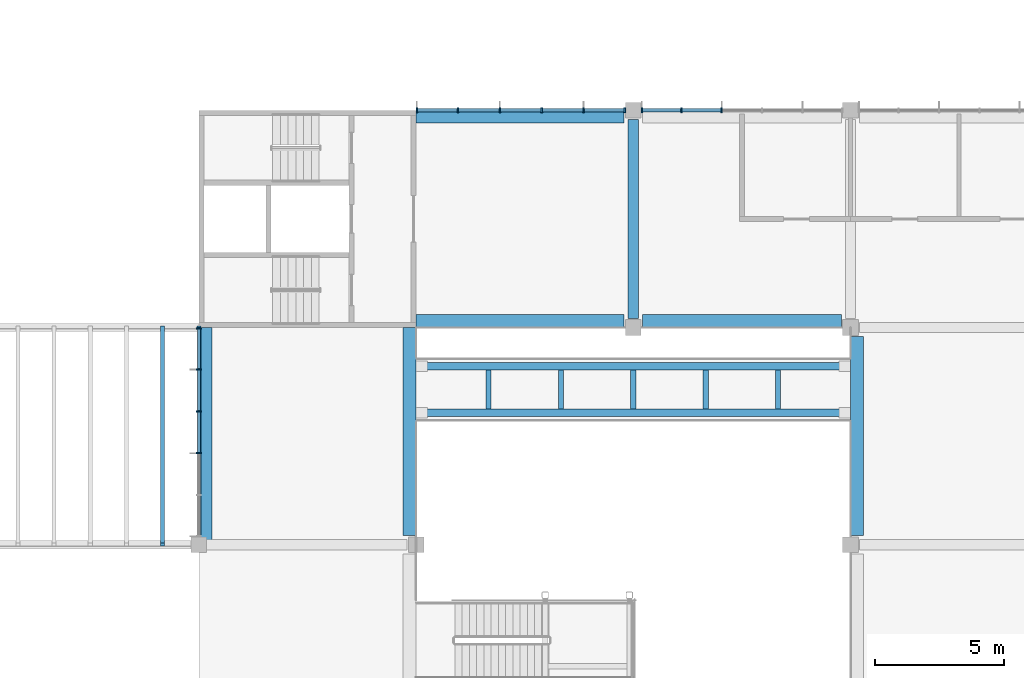
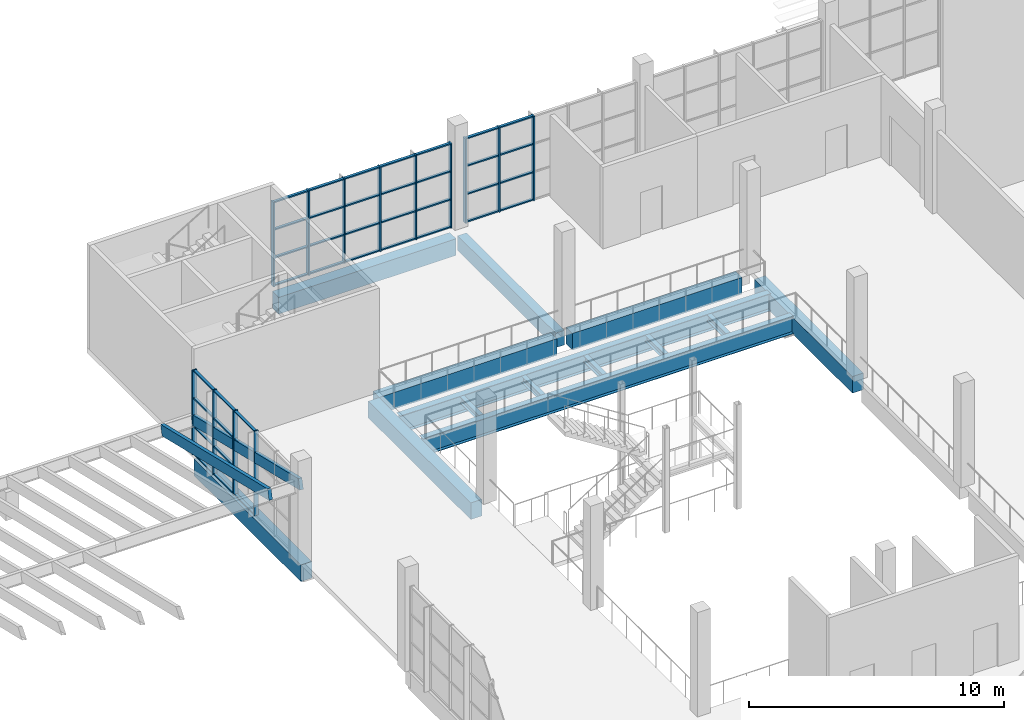
# One storey, part 10 of 59: 55 members, 14 beams, 3 elements without a shape of their own.
"""IFC4 building model written with IfcOpenShell, lengths in metres."""

from ifc_helpers import new_model, si_unit, direction, frame, origin, origin_2d, place, context, subcontext, project, spatial, rectangle, i_section, extrude, material, material_profile, profile_set, type_object, element, aggregate, save


model = new_model("IFC4")

# Units and contexts
model_context = context("Model", 3, precision=1e-05, world=origin(), true_north=direction((0.0, 1.0)))
body_context = subcontext(model_context, "Body", "Model", "MODEL_VIEW")
ifc_project = project(units=[si_unit("LENGTHUNIT", "METRE"), si_unit("AREAUNIT", "SQUARE_METRE"), si_unit("VOLUMEUNIT", "CUBIC_METRE"), si_unit("PLANEANGLEUNIT", "RADIAN"), si_unit("MASSUNIT", "GRAM", prefix="KILO")], contexts=[model_context])

# Site, building, storey
site_placement = place(None, origin())
site = spatial("IfcSite", under=ifc_project, at=site_placement, CompositionType="ELEMENT")
building_placement = place(site_placement, origin())
building = spatial("IfcBuilding", under=site, at=building_placement, Name="Almond Square Museum", CompositionType="ELEMENT")
storey_placement = place(building_placement, frame((0.0, 0.0, 25.0)))
storey = spatial("IfcBuildingStorey", under=building, at=storey_placement, Name="L04", CompositionType="ELEMENT", Elevation=25.0)

# Curtain wall, members
ifc_material_1 = material(Name="Aluminium and laminated glass", Category="aluminium")
curtain_wall_type = type_object("IfcCurtainWallType", Name="Unitised curtain wall 1500 module", PredefinedType="NOTDEFINED", material=ifc_material_1)
curtain_wall_1_placement = place(storey_placement, origin())
curtain_wall_1 = element("IfcCurtainWall", 1, at=curtain_wall_1_placement, inside=storey, type_object=curtain_wall_type, Name="Curtain wall CW-42", PredefinedType="NOTDEFINED")
ifc_material_2 = material(Name="Anodised aluminium", Category="aluminium")
ifc_material_profile_1 = material_profile(ifc_material_2, rectangle(XDim=0.199951171875, YDim=0.06005859375, at=origin_2d()))
ifc_profile_set_1 = profile_set([ifc_material_profile_1], Name="Anodised aluminium")
member_type_1 = type_object("IfcMemberType", Name="Aluminium mullion 60 x 200", PredefinedType="MULLION", material=ifc_profile_set_1)
member_1_placement = place(storey_placement, frame((90.330078125, 109.199951171875, 0.0), z_axis=(0.0, 0.0, 1.0), x_axis=(0.0, 1.0, 0.0)))
member_1 = element("IfcMember", 2, at=member_1_placement, type_object=member_type_1, Name="CW-42 mullion 1", PredefinedType="MULLION", context=body_context, shape_type="SweptSolid", body=[
    extrude(rectangle(XDim=0.199951171875, YDim=0.06005859375, at=origin_2d()), origin(), (0.0, 0.0, 1.0), 4.050048828125),
])
member_2_placement = place(storey_placement, frame((91.860107421875, 109.199951171875, 0.0), z_axis=(0.0, 0.0, 1.0), x_axis=(0.0, 1.0, 0.0)))
member_2 = element("IfcMember", 3, at=member_2_placement, type_object=member_type_1, Name="CW-42 mullion 2", PredefinedType="MULLION", context=body_context, shape_type="SweptSolid", body=[
    extrude(rectangle(XDim=0.199951171875, YDim=0.06005859375, at=origin_2d()), origin(), (0.0, 0.0, 1.0), 4.050048828125),
])
member_3_placement = place(storey_placement, frame((93.419921875, 109.199951171875, 0.0), z_axis=(0.0, 0.0, 1.0), x_axis=(0.0, 1.0, 0.0)))
member_3 = element("IfcMember", 4, at=member_3_placement, type_object=member_type_1, Name="CW-42 mullion 3", PredefinedType="MULLION", context=body_context, shape_type="SweptSolid", body=[
    extrude(rectangle(XDim=0.199951171875, YDim=0.06005859375, at=origin_2d()), origin(), (0.0, 0.0, 1.0), 4.050048828125),
])

curtain_wall_2_placement = place(storey_placement, origin())
curtain_wall_2 = element("IfcCurtainWall", 5, at=curtain_wall_2_placement, inside=storey, type_object=curtain_wall_type, Name="Curtain wall CW-43", PredefinedType="NOTDEFINED")
member_4_placement = place(storey_placement, frame((81.6298828125, 109.199951171875, 0.0), z_axis=(0.0, 0.0, 1.0), x_axis=(0.0, 1.0, 0.0)))
member_4 = element("IfcMember", 6, at=member_4_placement, type_object=member_type_1, Name="CW-43 mullion 1", PredefinedType="MULLION", context=body_context, shape_type="SweptSolid", body=[
    extrude(rectangle(XDim=0.199951171875, YDim=0.06005859375, at=origin_2d()), origin(), (0.0, 0.0, 1.0), 4.050048828125),
])
member_5_placement = place(storey_placement, frame((83.219970703125, 109.199951171875, 0.0), z_axis=(0.0, 0.0, 1.0), x_axis=(0.0, 1.0, 0.0)))
member_5 = element("IfcMember", 7, at=member_5_placement, type_object=member_type_1, Name="CW-43 mullion 2", PredefinedType="MULLION", context=body_context, shape_type="SweptSolid", body=[
    extrude(rectangle(XDim=0.199951171875, YDim=0.06005859375, at=origin_2d()), origin(), (0.0, 0.0, 1.0), 4.050048828125),
])
member_6_placement = place(storey_placement, frame((84.840087890625, 109.199951171875, 0.0), z_axis=(0.0, 0.0, 1.0), x_axis=(0.0, 1.0, 0.0)))
member_6 = element("IfcMember", 8, at=member_6_placement, type_object=member_type_1, Name="CW-43 mullion 3", PredefinedType="MULLION", context=body_context, shape_type="SweptSolid", body=[
    extrude(rectangle(XDim=0.199951171875, YDim=0.06005859375, at=origin_2d()), origin(), (0.0, 0.0, 1.0), 4.050048828125),
])
member_7_placement = place(storey_placement, frame((86.4599609375, 109.199951171875, 0.0), z_axis=(0.0, 0.0, 1.0), x_axis=(0.0, 1.0, 0.0)))
member_7 = element("IfcMember", 9, at=member_7_placement, type_object=member_type_1, Name="CW-43 mullion 4", PredefinedType="MULLION", context=body_context, shape_type="SweptSolid", body=[
    extrude(rectangle(XDim=0.199951171875, YDim=0.06005859375, at=origin_2d()), origin(), (0.0, 0.0, 1.0), 4.050048828125),
])
member_8_placement = place(storey_placement, frame((88.080078125, 109.199951171875, 0.0), z_axis=(0.0, 0.0, 1.0), x_axis=(0.0, 1.0, 0.0)))
member_8 = element("IfcMember", 10, at=member_8_placement, type_object=member_type_1, Name="CW-43 mullion 5", PredefinedType="MULLION", context=body_context, shape_type="SweptSolid", body=[
    extrude(rectangle(XDim=0.199951171875, YDim=0.06005859375, at=origin_2d()), origin(), (0.0, 0.0, 1.0), 4.050048828125),
])
member_9_placement = place(storey_placement, frame((89.669921875, 109.199951171875, 0.0), z_axis=(0.0, 0.0, 1.0), x_axis=(0.0, 1.0, 0.0)))
member_9 = element("IfcMember", 11, at=member_9_placement, type_object=member_type_1, Name="CW-43 mullion 6", PredefinedType="MULLION", context=body_context, shape_type="SweptSolid", body=[
    extrude(rectangle(XDim=0.199951171875, YDim=0.06005859375, at=origin_2d()), origin(), (0.0, 0.0, 1.0), 4.050048828125),
])

curtain_wall_3_placement = place(storey_placement, origin())
curtain_wall_3 = element("IfcCurtainWall", 12, at=curtain_wall_3_placement, inside=storey, type_object=curtain_wall_type, Name="Curtain wall CW-44", PredefinedType="NOTDEFINED")
member_10_placement = place(storey_placement, frame((73.199951171875, 95.93994140625, 0.0), z_axis=(0.0, 0.0, 1.0), x_axis=(-1.0, 0.0, 0.0)))
member_10 = element("IfcMember", 13, at=member_10_placement, type_object=member_type_1, Name="CW-44 mullion 3", PredefinedType="MULLION", context=body_context, shape_type="SweptSolid", body=[
    extrude(rectangle(XDim=0.199951171875, YDim=0.06005859375, at=origin_2d()), origin(), (0.0, 0.0, 1.0), 4.050048828125),
])
member_11_placement = place(storey_placement, frame((73.199951171875, 97.56005859375, 0.0), z_axis=(0.0, 0.0, 1.0), x_axis=(-1.0, 0.0, 0.0)))
member_11 = element("IfcMember", 14, at=member_11_placement, type_object=member_type_1, Name="CW-44 mullion 4", PredefinedType="MULLION", context=body_context, shape_type="SweptSolid", body=[
    extrude(rectangle(XDim=0.199951171875, YDim=0.06005859375, at=origin_2d()), origin(), (0.0, 0.0, 1.0), 4.050048828125),
])
member_12_placement = place(storey_placement, frame((73.199951171875, 99.179931640625, 0.0), z_axis=(0.0, 0.0, 1.0), x_axis=(-1.0, 0.0, 0.0)))
member_12 = element("IfcMember", 15, at=member_12_placement, type_object=member_type_1, Name="CW-44 mullion 5", PredefinedType="MULLION", context=body_context, shape_type="SweptSolid", body=[
    extrude(rectangle(XDim=0.199951171875, YDim=0.06005859375, at=origin_2d()), origin(), (0.0, 0.0, 1.0), 4.050048828125),
])
member_13_placement = place(storey_placement, frame((73.199951171875, 100.77001953125, 0.0), z_axis=(0.0, 0.0, 1.0), x_axis=(-1.0, 0.0, 0.0)))
member_13 = element("IfcMember", 16, at=member_13_placement, type_object=member_type_1, Name="CW-44 mullion 6", PredefinedType="MULLION", context=body_context, shape_type="SweptSolid", body=[
    extrude(rectangle(XDim=0.199951171875, YDim=0.06005859375, at=origin_2d()), origin(), (0.0, 0.0, 1.0), 4.050048828125),
])

# Member
ifc_material_3 = material(Name="Anodised aluminium", Category="aluminium")
ifc_material_profile_2 = material_profile(ifc_material_3, rectangle(XDim=0.1201171875, YDim=0.06005859375, at=origin_2d()))
ifc_profile_set_2 = profile_set([ifc_material_profile_2], Name="Anodised aluminium")
member_type_2 = type_object("IfcMemberType", Name="Aluminium transom 60 x 120", PredefinedType="USERDEFINED", material=ifc_profile_set_2)
member_14_placement = place(storey_placement, frame((90.360107421875, 109.199951171875, 0.030029296875), z_axis=(1.0, 0.0, 0.0), x_axis=(0.0, 1.0, 0.0)))
member_14 = element("IfcMember", 17, at=member_14_placement, type_object=member_type_2, Name="CW-42 transom 1.1", ObjectType="TRANSOM", PredefinedType="USERDEFINED", context=body_context, shape_type="SweptSolid", body=[
    extrude(rectangle(XDim=0.1201171875, YDim=0.06005859375, at=origin_2d()), origin(), (0.0, 0.0, 1.0), 1.469970703125),
])

member_15_placement = place(storey_placement, frame((90.360107421875, 109.199951171875, 1.35009765625), z_axis=(1.0, 0.0, 0.0), x_axis=(0.0, 1.0, 0.0)))
member_15 = element("IfcMember", 18, at=member_15_placement, type_object=member_type_2, Name="CW-42 transom 1.2", ObjectType="TRANSOM", PredefinedType="USERDEFINED", context=body_context, shape_type="SweptSolid", body=[
    extrude(rectangle(XDim=0.1201171875, YDim=0.06005859375, at=origin_2d()), origin(), (0.0, 0.0, 1.0), 1.469970703125),
])

member_16_placement = place(storey_placement, frame((90.360107421875, 109.199951171875, 2.699951171875), z_axis=(1.0, 0.0, 0.0), x_axis=(0.0, 1.0, 0.0)))
member_16 = element("IfcMember", 19, at=member_16_placement, type_object=member_type_2, Name="CW-42 transom 1.3", ObjectType="TRANSOM", PredefinedType="USERDEFINED", context=body_context, shape_type="SweptSolid", body=[
    extrude(rectangle(XDim=0.1201171875, YDim=0.06005859375, at=origin_2d()), origin(), (0.0, 0.0, 1.0), 1.469970703125),
])

member_17_placement = place(storey_placement, frame((90.360107421875, 109.199951171875, 4.02001953125), z_axis=(1.0, 0.0, 0.0), x_axis=(0.0, 1.0, 0.0)))
member_17 = element("IfcMember", 20, at=member_17_placement, type_object=member_type_2, Name="CW-42 transom 1.4", ObjectType="TRANSOM", PredefinedType="USERDEFINED", context=body_context, shape_type="SweptSolid", body=[
    extrude(rectangle(XDim=0.1201171875, YDim=0.06005859375, at=origin_2d()), origin(), (0.0, 0.0, 1.0), 1.469970703125),
])

member_18_placement = place(storey_placement, frame((91.889892578125, 109.199951171875, 0.030029296875), z_axis=(1.0, 0.0, 0.0), x_axis=(0.0, 1.0, 0.0)))
member_18 = element("IfcMember", 21, at=member_18_placement, type_object=member_type_2, Name="CW-42 transom 2.1", ObjectType="TRANSOM", PredefinedType="USERDEFINED", context=body_context, shape_type="SweptSolid", body=[
    extrude(rectangle(XDim=0.1201171875, YDim=0.06005859375, at=origin_2d()), origin(), (0.0, 0.0, 1.0), 1.5),
])

member_19_placement = place(storey_placement, frame((91.889892578125, 109.199951171875, 1.35009765625), z_axis=(1.0, 0.0, 0.0), x_axis=(0.0, 1.0, 0.0)))
member_19 = element("IfcMember", 22, at=member_19_placement, type_object=member_type_2, Name="CW-42 transom 2.2", ObjectType="TRANSOM", PredefinedType="USERDEFINED", context=body_context, shape_type="SweptSolid", body=[
    extrude(rectangle(XDim=0.1201171875, YDim=0.06005859375, at=origin_2d()), origin(), (0.0, 0.0, 1.0), 1.5),
])

member_20_placement = place(storey_placement, frame((91.889892578125, 109.199951171875, 2.699951171875), z_axis=(1.0, 0.0, 0.0), x_axis=(0.0, 1.0, 0.0)))
member_20 = element("IfcMember", 23, at=member_20_placement, type_object=member_type_2, Name="CW-42 transom 2.3", ObjectType="TRANSOM", PredefinedType="USERDEFINED", context=body_context, shape_type="SweptSolid", body=[
    extrude(rectangle(XDim=0.1201171875, YDim=0.06005859375, at=origin_2d()), origin(), (0.0, 0.0, 1.0), 1.5),
])

member_21_placement = place(storey_placement, frame((91.889892578125, 109.199951171875, 4.02001953125), z_axis=(1.0, 0.0, 0.0), x_axis=(0.0, 1.0, 0.0)))
member_21 = element("IfcMember", 24, at=member_21_placement, type_object=member_type_2, Name="CW-42 transom 2.4", ObjectType="TRANSOM", PredefinedType="USERDEFINED", context=body_context, shape_type="SweptSolid", body=[
    extrude(rectangle(XDim=0.1201171875, YDim=0.06005859375, at=origin_2d()), origin(), (0.0, 0.0, 1.0), 1.5),
])

aggregate(curtain_wall_1, [member_1, member_2, member_3, member_14, member_15, member_16, member_17, member_18, member_19, member_20, member_21])

member_22_placement = place(storey_placement, frame((81.659912109375, 109.199951171875, 0.030029296875), z_axis=(1.0, 0.0, 0.0), x_axis=(0.0, 1.0, 0.0)))
member_22 = element("IfcMember", 25, at=member_22_placement, type_object=member_type_2, Name="CW-43 transom 1.1", ObjectType="TRANSOM", PredefinedType="USERDEFINED", context=body_context, shape_type="SweptSolid", body=[
    extrude(rectangle(XDim=0.1201171875, YDim=0.06005859375, at=origin_2d()), origin(), (0.0, 0.0, 1.0), 1.530029296875),
])

member_23_placement = place(storey_placement, frame((81.659912109375, 109.199951171875, 1.35009765625), z_axis=(1.0, 0.0, 0.0), x_axis=(0.0, 1.0, 0.0)))
member_23 = element("IfcMember", 26, at=member_23_placement, type_object=member_type_2, Name="CW-43 transom 1.2", ObjectType="TRANSOM", PredefinedType="USERDEFINED", context=body_context, shape_type="SweptSolid", body=[
    extrude(rectangle(XDim=0.1201171875, YDim=0.06005859375, at=origin_2d()), origin(), (0.0, 0.0, 1.0), 1.530029296875),
])

member_24_placement = place(storey_placement, frame((81.659912109375, 109.199951171875, 2.699951171875), z_axis=(1.0, 0.0, 0.0), x_axis=(0.0, 1.0, 0.0)))
member_24 = element("IfcMember", 27, at=member_24_placement, type_object=member_type_2, Name="CW-43 transom 1.3", ObjectType="TRANSOM", PredefinedType="USERDEFINED", context=body_context, shape_type="SweptSolid", body=[
    extrude(rectangle(XDim=0.1201171875, YDim=0.06005859375, at=origin_2d()), origin(), (0.0, 0.0, 1.0), 1.530029296875),
])

member_25_placement = place(storey_placement, frame((81.659912109375, 109.199951171875, 4.02001953125), z_axis=(1.0, 0.0, 0.0), x_axis=(0.0, 1.0, 0.0)))
member_25 = element("IfcMember", 28, at=member_25_placement, type_object=member_type_2, Name="CW-43 transom 1.4", ObjectType="TRANSOM", PredefinedType="USERDEFINED", context=body_context, shape_type="SweptSolid", body=[
    extrude(rectangle(XDim=0.1201171875, YDim=0.06005859375, at=origin_2d()), origin(), (0.0, 0.0, 1.0), 1.530029296875),
])

member_26_placement = place(storey_placement, frame((83.25, 109.199951171875, 0.030029296875), z_axis=(1.0, 0.0, 0.0), x_axis=(0.0, 1.0, 0.0)))
member_26 = element("IfcMember", 29, at=member_26_placement, type_object=member_type_2, Name="CW-43 transom 2.1", ObjectType="TRANSOM", PredefinedType="USERDEFINED", context=body_context, shape_type="SweptSolid", body=[
    extrude(rectangle(XDim=0.1201171875, YDim=0.06005859375, at=origin_2d()), origin(), (0.0, 0.0, 1.0), 1.56005859375),
])

member_27_placement = place(storey_placement, frame((83.25, 109.199951171875, 1.35009765625), z_axis=(1.0, 0.0, 0.0), x_axis=(0.0, 1.0, 0.0)))
member_27 = element("IfcMember", 30, at=member_27_placement, type_object=member_type_2, Name="CW-43 transom 2.2", ObjectType="TRANSOM", PredefinedType="USERDEFINED", context=body_context, shape_type="SweptSolid", body=[
    extrude(rectangle(XDim=0.1201171875, YDim=0.06005859375, at=origin_2d()), origin(), (0.0, 0.0, 1.0), 1.56005859375),
])

member_28_placement = place(storey_placement, frame((83.25, 109.199951171875, 2.699951171875), z_axis=(1.0, 0.0, 0.0), x_axis=(0.0, 1.0, 0.0)))
member_28 = element("IfcMember", 31, at=member_28_placement, type_object=member_type_2, Name="CW-43 transom 2.3", ObjectType="TRANSOM", PredefinedType="USERDEFINED", context=body_context, shape_type="SweptSolid", body=[
    extrude(rectangle(XDim=0.1201171875, YDim=0.06005859375, at=origin_2d()), origin(), (0.0, 0.0, 1.0), 1.56005859375),
])

member_29_placement = place(storey_placement, frame((83.25, 109.199951171875, 4.02001953125), z_axis=(1.0, 0.0, 0.0), x_axis=(0.0, 1.0, 0.0)))
member_29 = element("IfcMember", 32, at=member_29_placement, type_object=member_type_2, Name="CW-43 transom 2.4", ObjectType="TRANSOM", PredefinedType="USERDEFINED", context=body_context, shape_type="SweptSolid", body=[
    extrude(rectangle(XDim=0.1201171875, YDim=0.06005859375, at=origin_2d()), origin(), (0.0, 0.0, 1.0), 1.56005859375),
])

member_30_placement = place(storey_placement, frame((84.8701171875, 109.199951171875, 0.030029296875), z_axis=(1.0, 0.0, 0.0), x_axis=(0.0, 1.0, 0.0)))
member_30 = element("IfcMember", 33, at=member_30_placement, type_object=member_type_2, Name="CW-43 transom 3.1", ObjectType="TRANSOM", PredefinedType="USERDEFINED", context=body_context, shape_type="SweptSolid", body=[
    extrude(rectangle(XDim=0.1201171875, YDim=0.06005859375, at=origin_2d()), origin(), (0.0, 0.0, 1.0), 1.559814453125),
])

member_31_placement = place(storey_placement, frame((84.8701171875, 109.199951171875, 1.35009765625), z_axis=(1.0, 0.0, 0.0), x_axis=(0.0, 1.0, 0.0)))
member_31 = element("IfcMember", 34, at=member_31_placement, type_object=member_type_2, Name="CW-43 transom 3.2", ObjectType="TRANSOM", PredefinedType="USERDEFINED", context=body_context, shape_type="SweptSolid", body=[
    extrude(rectangle(XDim=0.1201171875, YDim=0.06005859375, at=origin_2d()), origin(), (0.0, 0.0, 1.0), 1.559814453125),
])

member_32_placement = place(storey_placement, frame((84.8701171875, 109.199951171875, 2.699951171875), z_axis=(1.0, 0.0, 0.0), x_axis=(0.0, 1.0, 0.0)))
member_32 = element("IfcMember", 35, at=member_32_placement, type_object=member_type_2, Name="CW-43 transom 3.3", ObjectType="TRANSOM", PredefinedType="USERDEFINED", context=body_context, shape_type="SweptSolid", body=[
    extrude(rectangle(XDim=0.1201171875, YDim=0.06005859375, at=origin_2d()), origin(), (0.0, 0.0, 1.0), 1.559814453125),
])

member_33_placement = place(storey_placement, frame((84.8701171875, 109.199951171875, 4.02001953125), z_axis=(1.0, 0.0, 0.0), x_axis=(0.0, 1.0, 0.0)))
member_33 = element("IfcMember", 36, at=member_33_placement, type_object=member_type_2, Name="CW-43 transom 3.4", ObjectType="TRANSOM", PredefinedType="USERDEFINED", context=body_context, shape_type="SweptSolid", body=[
    extrude(rectangle(XDim=0.1201171875, YDim=0.06005859375, at=origin_2d()), origin(), (0.0, 0.0, 1.0), 1.559814453125),
])

member_34_placement = place(storey_placement, frame((86.489990234375, 109.199951171875, 0.030029296875), z_axis=(1.0, 0.0, 0.0), x_axis=(0.0, 1.0, 0.0)))
member_34 = element("IfcMember", 37, at=member_34_placement, type_object=member_type_2, Name="CW-43 transom 4.1", ObjectType="TRANSOM", PredefinedType="USERDEFINED", context=body_context, shape_type="SweptSolid", body=[
    extrude(rectangle(XDim=0.1201171875, YDim=0.06005859375, at=origin_2d()), origin(), (0.0, 0.0, 1.0), 1.56005859375),
])

member_35_placement = place(storey_placement, frame((86.489990234375, 109.199951171875, 1.35009765625), z_axis=(1.0, 0.0, 0.0), x_axis=(0.0, 1.0, 0.0)))
member_35 = element("IfcMember", 38, at=member_35_placement, type_object=member_type_2, Name="CW-43 transom 4.2", ObjectType="TRANSOM", PredefinedType="USERDEFINED", context=body_context, shape_type="SweptSolid", body=[
    extrude(rectangle(XDim=0.1201171875, YDim=0.06005859375, at=origin_2d()), origin(), (0.0, 0.0, 1.0), 1.56005859375),
])

member_36_placement = place(storey_placement, frame((86.489990234375, 109.199951171875, 2.699951171875), z_axis=(1.0, 0.0, 0.0), x_axis=(0.0, 1.0, 0.0)))
member_36 = element("IfcMember", 39, at=member_36_placement, type_object=member_type_2, Name="CW-43 transom 4.3", ObjectType="TRANSOM", PredefinedType="USERDEFINED", context=body_context, shape_type="SweptSolid", body=[
    extrude(rectangle(XDim=0.1201171875, YDim=0.06005859375, at=origin_2d()), origin(), (0.0, 0.0, 1.0), 1.56005859375),
])

member_37_placement = place(storey_placement, frame((86.489990234375, 109.199951171875, 4.02001953125), z_axis=(1.0, 0.0, 0.0), x_axis=(0.0, 1.0, 0.0)))
member_37 = element("IfcMember", 40, at=member_37_placement, type_object=member_type_2, Name="CW-43 transom 4.4", ObjectType="TRANSOM", PredefinedType="USERDEFINED", context=body_context, shape_type="SweptSolid", body=[
    extrude(rectangle(XDim=0.1201171875, YDim=0.06005859375, at=origin_2d()), origin(), (0.0, 0.0, 1.0), 1.56005859375),
])

member_38_placement = place(storey_placement, frame((88.110107421875, 109.199951171875, 0.030029296875), z_axis=(1.0, 0.0, 0.0), x_axis=(0.0, 1.0, 0.0)))
member_38 = element("IfcMember", 41, at=member_38_placement, type_object=member_type_2, Name="CW-43 transom 5.1", ObjectType="TRANSOM", PredefinedType="USERDEFINED", context=body_context, shape_type="SweptSolid", body=[
    extrude(rectangle(XDim=0.1201171875, YDim=0.06005859375, at=origin_2d()), origin(), (0.0, 0.0, 1.0), 1.52978515625),
])

member_39_placement = place(storey_placement, frame((88.110107421875, 109.199951171875, 1.35009765625), z_axis=(1.0, 0.0, 0.0), x_axis=(0.0, 1.0, 0.0)))
member_39 = element("IfcMember", 42, at=member_39_placement, type_object=member_type_2, Name="CW-43 transom 5.2", ObjectType="TRANSOM", PredefinedType="USERDEFINED", context=body_context, shape_type="SweptSolid", body=[
    extrude(rectangle(XDim=0.1201171875, YDim=0.06005859375, at=origin_2d()), origin(), (0.0, 0.0, 1.0), 1.52978515625),
])

member_40_placement = place(storey_placement, frame((88.110107421875, 109.199951171875, 2.699951171875), z_axis=(1.0, 0.0, 0.0), x_axis=(0.0, 1.0, 0.0)))
member_40 = element("IfcMember", 43, at=member_40_placement, type_object=member_type_2, Name="CW-43 transom 5.3", ObjectType="TRANSOM", PredefinedType="USERDEFINED", context=body_context, shape_type="SweptSolid", body=[
    extrude(rectangle(XDim=0.1201171875, YDim=0.06005859375, at=origin_2d()), origin(), (0.0, 0.0, 1.0), 1.52978515625),
])

member_41_placement = place(storey_placement, frame((88.110107421875, 109.199951171875, 4.02001953125), z_axis=(1.0, 0.0, 0.0), x_axis=(0.0, 1.0, 0.0)))
member_41 = element("IfcMember", 44, at=member_41_placement, type_object=member_type_2, Name="CW-43 transom 5.4", ObjectType="TRANSOM", PredefinedType="USERDEFINED", context=body_context, shape_type="SweptSolid", body=[
    extrude(rectangle(XDim=0.1201171875, YDim=0.06005859375, at=origin_2d()), origin(), (0.0, 0.0, 1.0), 1.52978515625),
])

aggregate(curtain_wall_2, [member_4, member_5, member_6, member_7, member_8, member_9, member_22, member_23, member_24, member_25, member_26, member_27, member_28, member_29, member_30, member_31, member_32, member_33, member_34, member_35, member_36, member_37, member_38, member_39, member_40, member_41])

member_42_placement = place(storey_placement, frame((73.199951171875, 95.969970703125, 0.030029296875), z_axis=(0.0, 1.0, 0.0), x_axis=(-1.0, 0.0, 0.0)))
member_42 = element("IfcMember", 45, at=member_42_placement, type_object=member_type_2, Name="CW-44 transom 3.1", ObjectType="TRANSOM", PredefinedType="USERDEFINED", context=body_context, shape_type="SweptSolid", body=[
    extrude(rectangle(XDim=0.1201171875, YDim=0.06005859375, at=origin_2d()), origin(), (0.0, 0.0, 1.0), 1.56005859375),
])

member_43_placement = place(storey_placement, frame((73.199951171875, 95.969970703125, 1.35009765625), z_axis=(0.0, 1.0, 0.0), x_axis=(-1.0, 0.0, 0.0)))
member_43 = element("IfcMember", 46, at=member_43_placement, type_object=member_type_2, Name="CW-44 transom 3.2", ObjectType="TRANSOM", PredefinedType="USERDEFINED", context=body_context, shape_type="SweptSolid", body=[
    extrude(rectangle(XDim=0.1201171875, YDim=0.06005859375, at=origin_2d()), origin(), (0.0, 0.0, 1.0), 1.56005859375),
])

member_44_placement = place(storey_placement, frame((73.199951171875, 95.969970703125, 2.699951171875), z_axis=(0.0, 1.0, 0.0), x_axis=(-1.0, 0.0, 0.0)))
member_44 = element("IfcMember", 47, at=member_44_placement, type_object=member_type_2, Name="CW-44 transom 3.3", ObjectType="TRANSOM", PredefinedType="USERDEFINED", context=body_context, shape_type="SweptSolid", body=[
    extrude(rectangle(XDim=0.1201171875, YDim=0.06005859375, at=origin_2d()), origin(), (0.0, 0.0, 1.0), 1.56005859375),
])

member_45_placement = place(storey_placement, frame((73.199951171875, 95.969970703125, 4.02001953125), z_axis=(0.0, 1.0, 0.0), x_axis=(-1.0, 0.0, 0.0)))
member_45 = element("IfcMember", 48, at=member_45_placement, type_object=member_type_2, Name="CW-44 transom 3.4", ObjectType="TRANSOM", PredefinedType="USERDEFINED", context=body_context, shape_type="SweptSolid", body=[
    extrude(rectangle(XDim=0.1201171875, YDim=0.06005859375, at=origin_2d()), origin(), (0.0, 0.0, 1.0), 1.56005859375),
])

member_46_placement = place(storey_placement, frame((73.199951171875, 97.590087890625, 0.030029296875), z_axis=(0.0, 1.0, 0.0), x_axis=(-1.0, 0.0, 0.0)))
member_46 = element("IfcMember", 49, at=member_46_placement, type_object=member_type_2, Name="CW-44 transom 4.1", ObjectType="TRANSOM", PredefinedType="USERDEFINED", context=body_context, shape_type="SweptSolid", body=[
    extrude(rectangle(XDim=0.1201171875, YDim=0.06005859375, at=origin_2d()), origin(), (0.0, 0.0, 1.0), 1.559814453125),
])

member_47_placement = place(storey_placement, frame((73.199951171875, 97.590087890625, 1.35009765625), z_axis=(0.0, 1.0, 0.0), x_axis=(-1.0, 0.0, 0.0)))
member_47 = element("IfcMember", 50, at=member_47_placement, type_object=member_type_2, Name="CW-44 transom 4.2", ObjectType="TRANSOM", PredefinedType="USERDEFINED", context=body_context, shape_type="SweptSolid", body=[
    extrude(rectangle(XDim=0.1201171875, YDim=0.06005859375, at=origin_2d()), origin(), (0.0, 0.0, 1.0), 1.559814453125),
])

member_48_placement = place(storey_placement, frame((73.199951171875, 97.590087890625, 2.699951171875), z_axis=(0.0, 1.0, 0.0), x_axis=(-1.0, 0.0, 0.0)))
member_48 = element("IfcMember", 51, at=member_48_placement, type_object=member_type_2, Name="CW-44 transom 4.3", ObjectType="TRANSOM", PredefinedType="USERDEFINED", context=body_context, shape_type="SweptSolid", body=[
    extrude(rectangle(XDim=0.1201171875, YDim=0.06005859375, at=origin_2d()), origin(), (0.0, 0.0, 1.0), 1.559814453125),
])

member_49_placement = place(storey_placement, frame((73.199951171875, 97.590087890625, 4.02001953125), z_axis=(0.0, 1.0, 0.0), x_axis=(-1.0, 0.0, 0.0)))
member_49 = element("IfcMember", 52, at=member_49_placement, type_object=member_type_2, Name="CW-44 transom 4.4", ObjectType="TRANSOM", PredefinedType="USERDEFINED", context=body_context, shape_type="SweptSolid", body=[
    extrude(rectangle(XDim=0.1201171875, YDim=0.06005859375, at=origin_2d()), origin(), (0.0, 0.0, 1.0), 1.559814453125),
])

member_50_placement = place(storey_placement, frame((73.199951171875, 99.2099609375, 0.030029296875), z_axis=(0.0, 1.0, 0.0), x_axis=(-1.0, 0.0, 0.0)))
member_50 = element("IfcMember", 53, at=member_50_placement, type_object=member_type_2, Name="CW-44 transom 5.1", ObjectType="TRANSOM", PredefinedType="USERDEFINED", context=body_context, shape_type="SweptSolid", body=[
    extrude(rectangle(XDim=0.1201171875, YDim=0.06005859375, at=origin_2d()), origin(), (0.0, 0.0, 1.0), 1.530029296875),
])

member_51_placement = place(storey_placement, frame((73.199951171875, 99.2099609375, 1.35009765625), z_axis=(0.0, 1.0, 0.0), x_axis=(-1.0, 0.0, 0.0)))
member_51 = element("IfcMember", 54, at=member_51_placement, type_object=member_type_2, Name="CW-44 transom 5.2", ObjectType="TRANSOM", PredefinedType="USERDEFINED", context=body_context, shape_type="SweptSolid", body=[
    extrude(rectangle(XDim=0.1201171875, YDim=0.06005859375, at=origin_2d()), origin(), (0.0, 0.0, 1.0), 1.530029296875),
])

member_52_placement = place(storey_placement, frame((73.199951171875, 99.2099609375, 2.699951171875), z_axis=(0.0, 1.0, 0.0), x_axis=(-1.0, 0.0, 0.0)))
member_52 = element("IfcMember", 55, at=member_52_placement, type_object=member_type_2, Name="CW-44 transom 5.3", ObjectType="TRANSOM", PredefinedType="USERDEFINED", context=body_context, shape_type="SweptSolid", body=[
    extrude(rectangle(XDim=0.1201171875, YDim=0.06005859375, at=origin_2d()), origin(), (0.0, 0.0, 1.0), 1.530029296875),
])

member_53_placement = place(storey_placement, frame((73.199951171875, 99.2099609375, 4.02001953125), z_axis=(0.0, 1.0, 0.0), x_axis=(-1.0, 0.0, 0.0)))
member_53 = element("IfcMember", 56, at=member_53_placement, type_object=member_type_2, Name="CW-44 transom 5.4", ObjectType="TRANSOM", PredefinedType="USERDEFINED", context=body_context, shape_type="SweptSolid", body=[
    extrude(rectangle(XDim=0.1201171875, YDim=0.06005859375, at=origin_2d()), origin(), (0.0, 0.0, 1.0), 1.530029296875),
])

aggregate(curtain_wall_3, [member_10, member_11, member_12, member_13, member_42, member_43, member_44, member_45, member_46, member_47, member_48, member_49, member_50, member_51, member_52, member_53])

# Beams
ifc_material_4 = material(Name="Structural steel S355", Category="steel")
ifc_material_profile_3 = material_profile(ifc_material_4, i_section(OverallWidth=0.202880859375, OverallDepth=0.302001953125, WebThickness=0.007568359375, FlangeThickness=0.01318359375, at=origin_2d()))
ifc_profile_set_3 = profile_set([ifc_material_profile_3], Name="Structural steel S355")
beam_type_1 = type_object("IfcBeamType", Name="Floor beam W310x60", PredefinedType="BEAM", material=ifc_profile_set_3)
for number, where, z_axis, x_axis, name in (
    (57, (84.39990234375, 97.64599609375, -0.301025390625), (0.0, 1.0, 0.0), (-1.0, 0.0, 0.0), "Bridge 6 cross beam 1"),
    (58, (87.199951171875, 97.64599609375, -0.301025390625), (0.0, 1.0, 0.0), (-1.0, 0.0, 0.0), "Bridge 6 cross beam 2"),
    (59, (90.0, 97.64599609375, -0.301025390625), (0.0, 1.0, 0.0), (-1.0, 0.0, 0.0), "Bridge 6 cross beam 3"),
    (60, (92.800048828125, 97.64599609375, -0.301025390625), (0.0, 1.0, 0.0), (-1.0, 0.0, 0.0), "Bridge 6 cross beam 4"),
    (61, (95.60009765625, 97.64599609375, -0.301025390625), (0.0, 1.0, 0.0), (-1.0, 0.0, 0.0), "Bridge 6 cross beam 5"),
):
    element("IfcBeam", number, at=place(storey_placement, frame(where, z_axis=z_axis, x_axis=x_axis)), inside=storey, type_object=beam_type_1, Name=name, PredefinedType="BEAM", context=body_context, shape_type="SweptSolid", body=[
        extrude(i_section(OverallWidth=0.202880859375, OverallDepth=0.302001953125, WebThickness=0.007568359375, FlangeThickness=0.01318359375, at=origin_2d()), origin(), (0.0, 0.0, 1.0), 1.508056640625),
    ])
ifc_material_5 = material(Name="Structural steel S355", Category="steel")
ifc_material_profile_4 = material_profile(ifc_material_5, i_section(OverallWidth=0.2919921875, OverallDepth=0.8359375, WebThickness=0.013916015625, FlangeThickness=0.018798828125, at=origin_2d()))
ifc_profile_set_4 = profile_set([ifc_material_profile_4], Name="Structural steel S355")
beam_type_2 = type_object("IfcBeamType", Name="Girder W840x176", PredefinedType="BEAM", material=ifc_profile_set_4)
for number, where, z_axis, x_axis, name in (
    (62, (81.60009765625, 97.5, -0.568115234375), (1.0, 0.0, 0.0), (0.0, 1.0, 0.0), "Bridge 6 girder 1"),
    (63, (81.60009765625, 99.300048828125, -0.568115234375), (1.0, 0.0, 0.0), (0.0, 1.0, 0.0), "Bridge 6 girder 2"),
):
    element("IfcBeam", number, at=place(storey_placement, frame(where, z_axis=z_axis, x_axis=x_axis)), inside=storey, type_object=beam_type_2, Name=name, PredefinedType="BEAM", context=body_context, shape_type="SweptSolid", body=[
        extrude(i_section(OverallWidth=0.2919921875, OverallDepth=0.8359375, WebThickness=0.013916015625, FlangeThickness=0.018798828125, at=origin_2d()), origin(), (0.0, 0.0, 1.0), 16.7998046875),
    ])

# Members
ifc_material_6 = material(Name="Glulam GL28h", Category="wood")
ifc_material_profile_5 = material_profile(ifc_material_6, rectangle(XDim=0.159912109375, YDim=0.5, at=origin_2d()))
ifc_profile_set_5 = profile_set([ifc_material_profile_5], Name="Glulam GL28h")
member_type_3 = type_object("IfcMemberType", Name="Glulam rafter GL28h 160x500", PredefinedType="RAFTER", material=ifc_profile_set_5)
for number, where, z_axis, x_axis, name in (
    (64, (71.800048828125, 92.39990234375, 3.64013671875), (0.0, 0.97280712477, -0.231616704918), (-1.0, 0.0, 0.0), "V4N rafter 2.24"),
    (65, (73.199951171875, 92.39990234375, 3.64013671875), (0.0, 0.97280712477, -0.231616704918), (-1.0, 0.0, 0.0), "V4N rafter 2.25"),
):
    element("IfcMember", number, at=place(storey_placement, frame(where, z_axis=z_axis, x_axis=x_axis)), inside=storey, type_object=member_type_3, Name=name, PredefinedType="RAFTER", context=body_context, shape_type="SweptSolid", body=[
        extrude(rectangle(XDim=0.159912109375, YDim=0.5, at=origin_2d()), origin(), (0.0, 0.0, 1.0), 8.635009765625),
    ])

# Beams
ifc_material_7 = material(Name="Concrete C40/50", Category="concrete")
ifc_material_profile_6 = material_profile(ifc_material_7, rectangle(XDim=0.39990234375, YDim=0.699951171875, at=origin_2d()))
ifc_profile_set_6 = profile_set([ifc_material_profile_6], Name="Concrete C40/50")
beam_type_3 = type_object("IfcBeamType", Name="RC beam 400 x 700 C40/50", PredefinedType="BEAM", material=ifc_profile_set_6)
beam_1_placement = place(storey_placement, frame((90.0, 101.14990234375, -0.60009765625), z_axis=(0.0, 1.0, 0.0), x_axis=(-1.0, 0.0, 0.0)))
element("IfcBeam", 66, at=beam_1_placement, inside=storey, type_object=beam_type_3, Name="Beam 12 M-N L04", PredefinedType="BEAM", context=body_context, shape_type="SweptSolid", body=[
    extrude(rectangle(XDim=0.39990234375, YDim=0.699951171875, at=origin_2d()), origin(), (0.0, 0.0, 1.0), 7.7001953125),
])
ifc_material_8 = material(Name="Concrete C40/50", Category="concrete")
ifc_material_profile_7 = material_profile(ifc_material_8, rectangle(XDim=0.5, YDim=0.800048828125, at=origin_2d()))
ifc_profile_set_7 = profile_set([ifc_material_profile_7], Name="Concrete C40/50")
beam_type_4 = type_object("IfcBeamType", Name="RC edge beam 500 x 800 C40/50", PredefinedType="BEAM", material=ifc_profile_set_7)
beam_2_placement = place(storey_placement, frame((81.60009765625, 101.050048828125, -0.64990234375), z_axis=(1.0, 0.0, 0.0), x_axis=(0.0, 1.0, 0.0)))
element("IfcBeam", 67, at=beam_2_placement, inside=storey, type_object=beam_type_4, Name="Edge beam M 11-12 L04", PredefinedType="BEAM", context=body_context, shape_type="SweptSolid", body=[
    extrude(rectangle(XDim=0.5, YDim=0.800048828125, at=origin_2d()), origin(), (0.0, 0.0, 1.0), 8.0498046875),
])
beam_3_placement = place(storey_placement, frame((90.35009765625, 101.050048828125, -0.64990234375), z_axis=(1.0, 0.0, 0.0), x_axis=(0.0, 1.0, 0.0)))
element("IfcBeam", 68, at=beam_3_placement, inside=storey, type_object=beam_type_4, Name="Edge beam M 12-13 L04", PredefinedType="BEAM", context=body_context, shape_type="SweptSolid", body=[
    extrude(rectangle(XDim=0.5, YDim=0.800048828125, at=origin_2d()), origin(), (0.0, 0.0, 1.0), 7.699951171875),
])
beam_4_placement = place(storey_placement, frame((81.60009765625, 108.949951171875, -0.64990234375), z_axis=(1.0, 0.0, 0.0), x_axis=(0.0, 1.0, 0.0)))
element("IfcBeam", 69, at=beam_4_placement, inside=storey, type_object=beam_type_4, Name="Edge beam N 11-12 L04", PredefinedType="BEAM", context=body_context, shape_type="SweptSolid", body=[
    extrude(rectangle(XDim=0.5, YDim=0.800048828125, at=origin_2d()), origin(), (0.0, 0.0, 1.0), 8.0498046875),
])
beam_5_placement = place(storey_placement, frame((73.449951171875, 92.39990234375, -0.64990234375), z_axis=(0.0, 1.0, 0.0), x_axis=(-1.0, 0.0, 0.0)))
element("IfcBeam", 70, at=beam_5_placement, inside=storey, type_object=beam_type_4, Name="Edge beam 10 L-M L04", PredefinedType="BEAM", context=body_context, shape_type="SweptSolid", body=[
    extrude(rectangle(XDim=0.5, YDim=0.800048828125, at=origin_2d()), origin(), (0.0, 0.0, 1.0), 8.400146484375),
])
beam_6_placement = place(storey_placement, frame((81.35009765625, 92.75, -0.64990234375), z_axis=(0.0, 1.0, 0.0), x_axis=(-1.0, 0.0, 0.0)))
element("IfcBeam", 71, at=beam_6_placement, inside=storey, type_object=beam_type_4, Name="Edge beam 11 L-M L04", PredefinedType="BEAM", context=body_context, shape_type="SweptSolid", body=[
    extrude(rectangle(XDim=0.5, YDim=0.800048828125, at=origin_2d()), origin(), (0.0, 0.0, 1.0), 8.050048828125),
])
beam_7_placement = place(storey_placement, frame((98.64990234375, 92.75, -0.64990234375), z_axis=(0.0, 1.0, 0.0), x_axis=(-1.0, 0.0, 0.0)))
element("IfcBeam", 72, at=beam_7_placement, inside=storey, type_object=beam_type_4, Name="Edge beam 13 L-M L04", PredefinedType="BEAM", context=body_context, shape_type="SweptSolid", body=[
    extrude(rectangle(XDim=0.5, YDim=0.800048828125, at=origin_2d()), origin(), (0.0, 0.0, 1.0), 7.699951171875),
])

save(model, "model.ifc")
